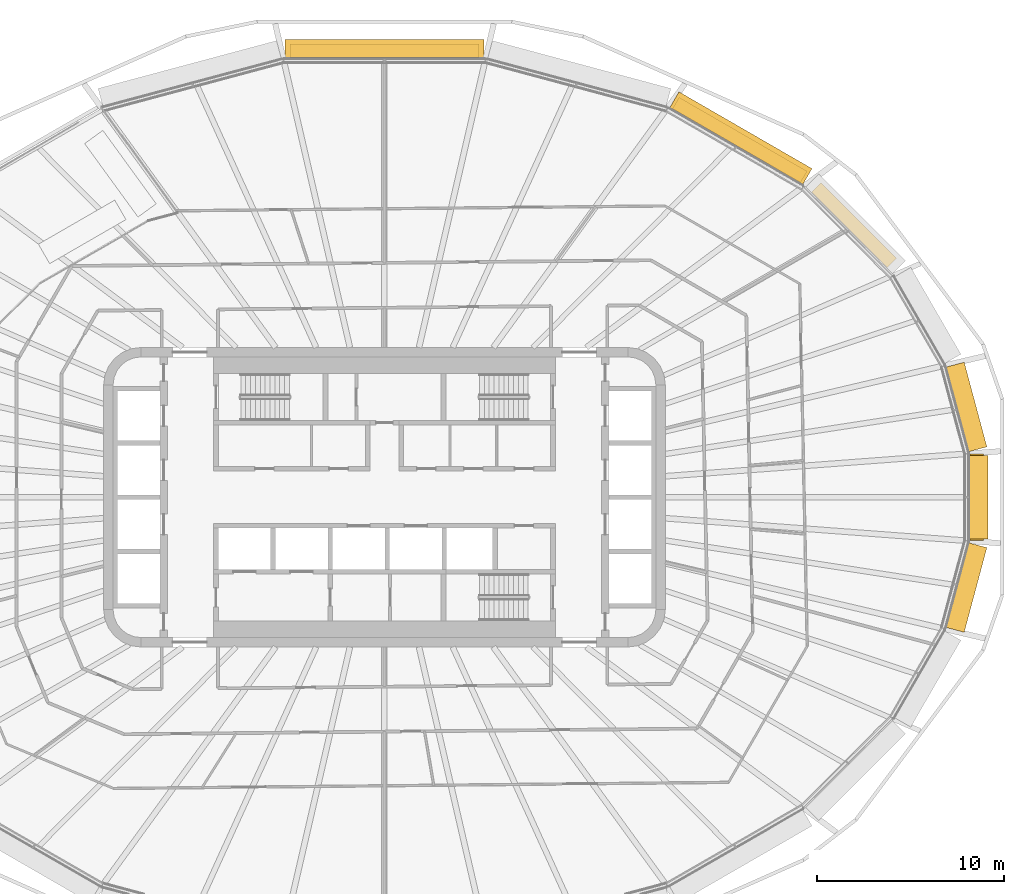
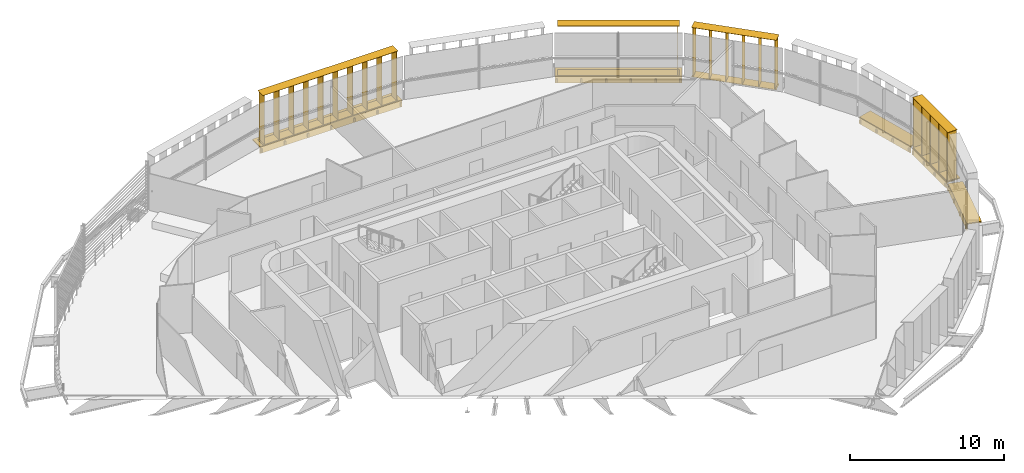
# One storey, part 23 of 23: 9 shading devices.
"""IFC4 building model written with IfcOpenShell, lengths in metres."""

from ifc_helpers import new_model, si_unit, direction, frame, origin, origin_2d, place, context, subcontext, project, spatial, rectangle, extrude, material, type_object, element, save


model = new_model("IFC4")

# Units and contexts
model_context = context("Model", 3, precision=1e-05, world=origin(), true_north=direction((0.0, 1.0)))
body_context = subcontext(model_context, "Body", "Model", "MODEL_VIEW")
ifc_project = project(units=[si_unit("LENGTHUNIT", "METRE"), si_unit("AREAUNIT", "SQUARE_METRE"), si_unit("VOLUMEUNIT", "CUBIC_METRE"), si_unit("PLANEANGLEUNIT", "RADIAN"), si_unit("MASSUNIT", "GRAM", prefix="KILO")], contexts=[model_context])

# Site, building, storey
site_placement = place(None, origin())
site = spatial("IfcSite", under=ifc_project, at=site_placement, CompositionType="ELEMENT")
building_placement = place(site_placement, origin())
building = spatial("IfcBuilding", under=site, at=building_placement, Name="Sahrelin Media Tower", CompositionType="ELEMENT")
storey_placement = place(building_placement, frame((0.0, 0.0, 169.60009765625)))
storey = spatial("IfcBuildingStorey", under=building, at=storey_placement, Name="L35", CompositionType="ELEMENT", Elevation=169.60009765625)

# Shading devices
ifc_material = material(Name="Champagne anodised aluminium 6063-T6", Category="aluminium")
shading_device_type_1 = type_object("IfcShadingDeviceType", Name="Fin cassette", PredefinedType="USERDEFINED", material=ifc_material)
placement_1 = place(storey_placement, frame((31.216552734375, 0.0, 0.0), z_axis=(0.0, 0.0, 1.0), x_axis=(0.0, -1.0, 0.0)))
element("IfcShadingDevice", 1, at=placement_1, inside=storey, type_object=shading_device_type_1, Name="L35:FIN:L35-00", ObjectType="FIN", PredefinedType="USERDEFINED", context=body_context, shape_type="SweptSolid", body=[
    extrude(rectangle(XDim=4.60009765625, YDim=0.699951171875, at=origin_2d()), frame((0.0, 0.419921875, 0.0)), (0.0, 0.0, 1.0), 0.02001953125),
    extrude(rectangle(XDim=4.60009765625, YDim=0.699951171875, at=origin_2d()), frame((0.0, 0.419921875, 3.89990234375)), (0.0, 0.0, 1.0), 0.02001953125),
    extrude(rectangle(XDim=0.02001953125, YDim=0.699951171875, at=origin_2d()), frame((-2.199951171875, 0.419921875, 0.010009765625), z_axis=(0.0, 0.0, 1.0), x_axis=(1.0, 0.0, 0.0)), (0.0, 0.0, 1.0), 3.89990234375),
    extrude(rectangle(XDim=0.02001953125, YDim=0.699951171875, at=origin_2d()), frame((-1.10009765625, 0.419921875, 0.010009765625), z_axis=(0.0, 0.0, 1.0), x_axis=(1.0, 0.0, 0.0)), (0.0, 0.0, 1.0), 3.89990234375),
    extrude(rectangle(XDim=0.02001953125, YDim=0.699951171875, at=origin_2d()), frame((0.0, 0.419921875, 0.010009765625), z_axis=(0.0, 0.0, 1.0), x_axis=(1.0, 0.0, 0.0)), (0.0, 0.0, 1.0), 3.89990234375),
    extrude(rectangle(XDim=0.02001953125, YDim=0.699951171875, at=origin_2d()), frame((1.10009765625, 0.419921875, 0.010009765625), z_axis=(0.0, 0.0, 1.0), x_axis=(1.0, 0.0, 0.0)), (0.0, 0.0, 1.0), 3.89990234375),
    extrude(rectangle(XDim=0.02001953125, YDim=0.699951171875, at=origin_2d()), frame((2.199951171875, 0.419921875, 0.010009765625), z_axis=(0.0, 0.0, 1.0), x_axis=(1.0, 0.0, 0.0)), (0.0, 0.0, 1.0), 3.89990234375),
])
shading_device_2_placement = place(storey_placement, frame((24.794189453125, 14.236083984375, 0.0), z_axis=(0.0, 0.0, 1.0), x_axis=(0.707106781187, -0.707106781187, 0.0)))
element("IfcShadingDevice", 2, at=shading_device_2_placement, inside=storey, type_object=shading_device_type_1, Name="L35:FIN:L35-03", ObjectType="FIN", PredefinedType="USERDEFINED", context=body_context, shape_type="SweptSolid", body=[
    extrude(rectangle(XDim=5.699951171875, YDim=0.699951171875, at=origin_2d()), frame((0.0, 0.419921875, 0.0)), (0.0, 0.0, 1.0), 0.02001953125),
    extrude(rectangle(XDim=5.699951171875, YDim=0.699951171875, at=origin_2d()), frame((0.0, 0.419921875, 3.89990234375)), (0.0, 0.0, 1.0), 0.02001953125),
    extrude(rectangle(XDim=0.02001953125, YDim=0.699951171875, at=origin_2d()), frame((-2.75, 0.419921875, 0.010009765625), z_axis=(0.0, 0.0, 1.0), x_axis=(1.0, 0.0, 0.0)), (0.0, 0.0, 1.0), 3.89990234375),
    extrude(rectangle(XDim=0.02001953125, YDim=0.699951171875, at=origin_2d()), frame((-1.64990234375, 0.419921875, 0.010009765625), z_axis=(0.0, 0.0, 1.0), x_axis=(1.0, 0.0, 0.0)), (0.0, 0.0, 1.0), 3.89990234375),
    extrude(rectangle(XDim=0.02001953125, YDim=0.699951171875, at=origin_2d()), frame((-0.550048828125, 0.419921875, 0.010009765625), z_axis=(0.0, 0.0, 1.0), x_axis=(1.0, 0.0, 0.0)), (0.0, 0.0, 1.0), 3.89990234375),
    extrude(rectangle(XDim=0.02001953125, YDim=0.699951171875, at=origin_2d()), frame((0.550048828125, 0.419921875, 0.010009765625), z_axis=(0.0, 0.0, 1.0), x_axis=(1.0, 0.0, 0.0)), (0.0, 0.0, 1.0), 3.89990234375),
    extrude(rectangle(XDim=0.02001953125, YDim=0.699951171875, at=origin_2d()), frame((1.64990234375, 0.419921875, 0.010009765625), z_axis=(0.0, 0.0, 1.0), x_axis=(1.0, 0.0, 0.0)), (0.0, 0.0, 1.0), 3.89990234375),
    extrude(rectangle(XDim=0.02001953125, YDim=0.699951171875, at=origin_2d()), frame((2.75, 0.419921875, 0.010009765625), z_axis=(0.0, 0.0, 1.0), x_axis=(1.0, 0.0, 0.0)), (0.0, 0.0, 1.0), 3.89990234375),
])
placement_2 = place(storey_placement, frame((18.77099609375, 18.72119140625, 0.0), z_axis=(0.0, 0.0, 1.0), x_axis=(0.866019052629, -0.500011000363, 0.0)))
element("IfcShadingDevice", 3, at=placement_2, inside=storey, type_object=shading_device_type_1, Name="L35:FIN:L35-04", ObjectType="FIN", PredefinedType="USERDEFINED", context=body_context, shape_type="SweptSolid", body=[
    extrude(rectangle(XDim=7.89990234375, YDim=0.699951171875, at=origin_2d()), frame((0.0, 0.419921875, 0.0)), (0.0, 0.0, 1.0), 0.02001953125),
    extrude(rectangle(XDim=7.89990234375, YDim=0.699951171875, at=origin_2d()), frame((0.0, 0.419921875, 3.89990234375)), (0.0, 0.0, 1.0), 0.02001953125),
    extrude(rectangle(XDim=0.02001953125, YDim=0.699951171875, at=origin_2d()), frame((-3.85009765625, 0.419921875, 0.010009765625), z_axis=(0.0, 0.0, 1.0), x_axis=(1.0, 0.0, 0.0)), (0.0, 0.0, 1.0), 3.89990234375),
    extrude(rectangle(XDim=0.02001953125, YDim=0.699951171875, at=origin_2d()), frame((-2.75, 0.419921875, 0.010009765625), z_axis=(0.0, 0.0, 1.0), x_axis=(1.0, 0.0, 0.0)), (0.0, 0.0, 1.0), 3.89990234375),
    extrude(rectangle(XDim=0.02001953125, YDim=0.699951171875, at=origin_2d()), frame((-1.64990234375, 0.419921875, 0.010009765625), z_axis=(0.0, 0.0, 1.0), x_axis=(1.0, 0.0, 0.0)), (0.0, 0.0, 1.0), 3.89990234375),
    extrude(rectangle(XDim=0.02001953125, YDim=0.699951171875, at=origin_2d()), frame((-0.550048828125, 0.419921875, 0.010009765625), z_axis=(0.0, 0.0, 1.0), x_axis=(1.0, 0.0, 0.0)), (0.0, 0.0, 1.0), 3.89990234375),
    extrude(rectangle(XDim=0.02001953125, YDim=0.699951171875, at=origin_2d()), frame((0.550048828125, 0.419921875, 0.010009765625), z_axis=(0.0, 0.0, 1.0), x_axis=(1.0, 0.0, 0.0)), (0.0, 0.0, 1.0), 3.89990234375),
    extrude(rectangle(XDim=0.02001953125, YDim=0.699951171875, at=origin_2d()), frame((1.64990234375, 0.419921875, 0.010009765625), z_axis=(0.0, 0.0, 1.0), x_axis=(1.0, 0.0, 0.0)), (0.0, 0.0, 1.0), 3.89990234375),
    extrude(rectangle(XDim=0.02001953125, YDim=0.699951171875, at=origin_2d()), frame((2.75, 0.419921875, 0.010009765625), z_axis=(0.0, 0.0, 1.0), x_axis=(1.0, 0.0, 0.0)), (0.0, 0.0, 1.0), 3.89990234375),
    extrude(rectangle(XDim=0.02001953125, YDim=0.699951171875, at=origin_2d()), frame((3.85009765625, 0.419921875, 0.010009765625), z_axis=(0.0, 0.0, 1.0), x_axis=(1.0, 0.0, 0.0)), (0.0, 0.0, 1.0), 3.89990234375),
])
placement_3 = place(storey_placement, frame((0.0, 23.428466796875, 0.0), z_axis=(0.0, 0.0, 1.0), x_axis=(1.0, 0.0, 0.0)))
element("IfcShadingDevice", 4, at=placement_3, inside=storey, type_object=shading_device_type_1, Name="L35:FIN:L35-06", ObjectType="FIN", PredefinedType="USERDEFINED", context=body_context, shape_type="SweptSolid", body=[
    extrude(rectangle(XDim=10.10009765625, YDim=0.699951171875, at=origin_2d()), frame((0.0, 0.419921875, 0.0)), (0.0, 0.0, 1.0), 0.02001953125),
    extrude(rectangle(XDim=10.10009765625, YDim=0.699951171875, at=origin_2d()), frame((0.0, 0.419921875, 3.89990234375)), (0.0, 0.0, 1.0), 0.02001953125),
    extrude(rectangle(XDim=0.02001953125, YDim=0.699951171875, at=origin_2d()), frame((-4.949951171875, 0.419921875, 0.010009765625), z_axis=(0.0, 0.0, 1.0), x_axis=(1.0, 0.0, 0.0)), (0.0, 0.0, 1.0), 3.89990234375),
    extrude(rectangle(XDim=0.02001953125, YDim=0.699951171875, at=origin_2d()), frame((-3.85009765625, 0.419921875, 0.010009765625), z_axis=(0.0, 0.0, 1.0), x_axis=(1.0, 0.0, 0.0)), (0.0, 0.0, 1.0), 3.89990234375),
    extrude(rectangle(XDim=0.02001953125, YDim=0.699951171875, at=origin_2d()), frame((-2.75, 0.419921875, 0.010009765625), z_axis=(0.0, 0.0, 1.0), x_axis=(1.0, 0.0, 0.0)), (0.0, 0.0, 1.0), 3.89990234375),
    extrude(rectangle(XDim=0.02001953125, YDim=0.699951171875, at=origin_2d()), frame((-1.64990234375, 0.419921875, 0.010009765625), z_axis=(0.0, 0.0, 1.0), x_axis=(1.0, 0.0, 0.0)), (0.0, 0.0, 1.0), 3.89990234375),
    extrude(rectangle(XDim=0.02001953125, YDim=0.699951171875, at=origin_2d()), frame((-0.550048828125, 0.419921875, 0.010009765625), z_axis=(0.0, 0.0, 1.0), x_axis=(1.0, 0.0, 0.0)), (0.0, 0.0, 1.0), 3.89990234375),
    extrude(rectangle(XDim=0.02001953125, YDim=0.699951171875, at=origin_2d()), frame((0.550048828125, 0.419921875, 0.010009765625), z_axis=(0.0, 0.0, 1.0), x_axis=(1.0, 0.0, 0.0)), (0.0, 0.0, 1.0), 3.89990234375),
    extrude(rectangle(XDim=0.02001953125, YDim=0.699951171875, at=origin_2d()), frame((1.64990234375, 0.419921875, 0.010009765625), z_axis=(0.0, 0.0, 1.0), x_axis=(1.0, 0.0, 0.0)), (0.0, 0.0, 1.0), 3.89990234375),
    extrude(rectangle(XDim=0.02001953125, YDim=0.699951171875, at=origin_2d()), frame((2.75, 0.419921875, 0.010009765625), z_axis=(0.0, 0.0, 1.0), x_axis=(1.0, 0.0, 0.0)), (0.0, 0.0, 1.0), 3.89990234375),
    extrude(rectangle(XDim=0.02001953125, YDim=0.699951171875, at=origin_2d()), frame((3.85009765625, 0.419921875, 0.010009765625), z_axis=(0.0, 0.0, 1.0), x_axis=(1.0, 0.0, 0.0)), (0.0, 0.0, 1.0), 3.89990234375),
    extrude(rectangle(XDim=0.02001953125, YDim=0.699951171875, at=origin_2d()), frame((4.949951171875, 0.419921875, 0.010009765625), z_axis=(0.0, 0.0, 1.0), x_axis=(1.0, 0.0, 0.0)), (0.0, 0.0, 1.0), 3.89990234375),
])
shading_device_type_2 = type_object("IfcShadingDeviceType", Name="Sunshade band", PredefinedType="USERDEFINED", material=ifc_material)
element("IfcShadingDevice", 5, at=placement_1, inside=storey, type_object=shading_device_type_2, Name="L35:SUN:L35-00", ObjectType="SUNSHADE", PredefinedType="USERDEFINED", context=body_context, shape_type="SweptSolid", body=[
    extrude(rectangle(XDim=4.46484375, YDim=0.050048828125, at=origin_2d()), frame((0.0, 0.044921875, -0.55126953125)), (0.0, 0.0, 1.0), 0.471435546875),
    extrude(rectangle(XDim=4.46484375, YDim=1.0, at=origin_2d()), frame((0.0, 0.52001953125, -0.080078125)), (0.0, 0.0, 1.0), 0.080078125),
    extrude(rectangle(XDim=0.10009765625, YDim=0.074951171875, at=origin_2d()), frame((-2.13232421875, -0.017578125, -0.47021484375)), (0.0, 0.0, 1.0), 0.300048828125),
    extrude(rectangle(XDim=0.10009765625, YDim=0.074951171875, at=origin_2d()), frame((-0.710693359375, -0.017578125, -0.47021484375)), (0.0, 0.0, 1.0), 0.300048828125),
    extrude(rectangle(XDim=0.10009765625, YDim=0.074951171875, at=origin_2d()), frame((0.710693359375, -0.017578125, -0.47021484375)), (0.0, 0.0, 1.0), 0.300048828125),
    extrude(rectangle(XDim=0.10009765625, YDim=0.074951171875, at=origin_2d()), frame((2.13232421875, -0.017578125, -0.47021484375)), (0.0, 0.0, 1.0), 0.300048828125),
])
shading_device_6_placement = place(storey_placement, frame((30.585205078125, 4.6884765625, 0.0), z_axis=(0.0, 0.0, 1.0), x_axis=(0.258807731996, -0.965928857556, 0.0)))
element("IfcShadingDevice", 6, at=shading_device_6_placement, inside=storey, type_object=shading_device_type_2, Name="L35:SUN:L35-01", ObjectType="SUNSHADE", PredefinedType="USERDEFINED", context=body_context, shape_type="SweptSolid", body=[
    extrude(rectangle(XDim=4.678466796875, YDim=0.050048828125, at=origin_2d()), frame((0.0, 0.044921875, -0.55126953125)), (0.0, 0.0, 1.0), 0.471435546875),
    extrude(rectangle(XDim=4.678466796875, YDim=1.0, at=origin_2d()), frame((0.0, 0.52001953125, -0.080078125)), (0.0, 0.0, 1.0), 0.080078125),
    extrude(rectangle(XDim=0.10009765625, YDim=0.074951171875, at=origin_2d()), frame((-2.2392578125, -0.017578125, -0.47021484375)), (0.0, 0.0, 1.0), 0.300048828125),
    extrude(rectangle(XDim=0.10009765625, YDim=0.074951171875, at=origin_2d()), frame((-0.746337890625, -0.017578125, -0.47021484375)), (0.0, 0.0, 1.0), 0.300048828125),
    extrude(rectangle(XDim=0.10009765625, YDim=0.074951171875, at=origin_2d()), frame((0.746337890625, -0.017578125, -0.47021484375)), (0.0, 0.0, 1.0), 0.300048828125),
    extrude(rectangle(XDim=0.10009765625, YDim=0.074951171875, at=origin_2d()), frame((2.2392578125, -0.017578125, -0.47021484375)), (0.0, 0.0, 1.0), 0.300048828125),
])
element("IfcShadingDevice", 7, at=placement_2, inside=storey, type_object=shading_device_type_2, Name="L35:SUN:L35-04", ObjectType="SUNSHADE", PredefinedType="USERDEFINED", context=body_context, shape_type="SweptSolid", body=[
    extrude(rectangle(XDim=8.203857421875, YDim=0.050048828125, at=origin_2d()), frame((0.0, 0.044921875, -0.55126953125)), (0.0, 0.0, 1.0), 0.471435546875),
    extrude(rectangle(XDim=8.203857421875, YDim=1.0, at=origin_2d()), frame((0.0, 0.52001953125, -0.080078125)), (0.0, 0.0, 1.0), 0.080078125),
    extrude(rectangle(XDim=0.10009765625, YDim=0.074951171875, at=origin_2d()), frame((-4.001953125, -0.017578125, -0.47021484375)), (0.0, 0.0, 1.0), 0.300048828125),
    extrude(rectangle(XDim=0.10009765625, YDim=0.074951171875, at=origin_2d()), frame((-2.401123046875, -0.017578125, -0.47021484375)), (0.0, 0.0, 1.0), 0.300048828125),
    extrude(rectangle(XDim=0.10009765625, YDim=0.074951171875, at=origin_2d()), frame((-0.80029296875, -0.017578125, -0.47021484375)), (0.0, 0.0, 1.0), 0.300048828125),
    extrude(rectangle(XDim=0.10009765625, YDim=0.074951171875, at=origin_2d()), frame((0.80029296875, -0.017578125, -0.47021484375)), (0.0, 0.0, 1.0), 0.300048828125),
    extrude(rectangle(XDim=0.10009765625, YDim=0.074951171875, at=origin_2d()), frame((2.401123046875, -0.017578125, -0.47021484375)), (0.0, 0.0, 1.0), 0.300048828125),
    extrude(rectangle(XDim=0.10009765625, YDim=0.074951171875, at=origin_2d()), frame((4.001953125, -0.017578125, -0.47021484375)), (0.0, 0.0, 1.0), 0.300048828125),
])
element("IfcShadingDevice", 8, at=placement_3, inside=storey, type_object=shading_device_type_2, Name="L35:SUN:L35-06", ObjectType="SUNSHADE", PredefinedType="USERDEFINED", context=body_context, shape_type="SweptSolid", body=[
    extrude(rectangle(XDim=10.61083984375, YDim=0.050048828125, at=origin_2d()), frame((0.0, 0.044921875, -0.55126953125)), (0.0, 0.0, 1.0), 0.471435546875),
    extrude(rectangle(XDim=10.61083984375, YDim=1.0, at=origin_2d()), frame((0.0, 0.52001953125, -0.080078125)), (0.0, 0.0, 1.0), 0.080078125),
    extrude(rectangle(XDim=0.10009765625, YDim=0.074951171875, at=origin_2d()), frame((-5.205322265625, -0.017578125, -0.47021484375)), (0.0, 0.0, 1.0), 0.300048828125),
    extrude(rectangle(XDim=0.10009765625, YDim=0.074951171875, at=origin_2d()), frame((-3.47021484375, -0.017578125, -0.47021484375)), (0.0, 0.0, 1.0), 0.300048828125),
    extrude(rectangle(XDim=0.10009765625, YDim=0.074951171875, at=origin_2d()), frame((-1.735107421875, -0.017578125, -0.47021484375)), (0.0, 0.0, 1.0), 0.300048828125),
    extrude(rectangle(XDim=0.10009765625, YDim=0.074951171875, at=origin_2d()), frame((0.0, -0.017578125, -0.47021484375)), (0.0, 0.0, 1.0), 0.300048828125),
    extrude(rectangle(XDim=0.10009765625, YDim=0.074951171875, at=origin_2d()), frame((1.735107421875, -0.017578125, -0.47021484375)), (0.0, 0.0, 1.0), 0.300048828125),
    extrude(rectangle(XDim=0.10009765625, YDim=0.074951171875, at=origin_2d()), frame((3.47021484375, -0.017578125, -0.47021484375)), (0.0, 0.0, 1.0), 0.300048828125),
    extrude(rectangle(XDim=0.10009765625, YDim=0.074951171875, at=origin_2d()), frame((5.205322265625, -0.017578125, -0.47021484375)), (0.0, 0.0, 1.0), 0.300048828125),
])
shading_device_9_placement = place(storey_placement, frame((30.585205078125, -4.6884765625, 0.0), z_axis=(0.0, 0.0, 1.0), x_axis=(-0.258807731996, -0.965928857556, 0.0)))
element("IfcShadingDevice", 9, at=shading_device_9_placement, inside=storey, type_object=shading_device_type_2, Name="L35:SUN:L35-23", ObjectType="SUNSHADE", PredefinedType="USERDEFINED", context=body_context, shape_type="SweptSolid", body=[
    extrude(rectangle(XDim=4.678466796875, YDim=0.050048828125, at=origin_2d()), frame((0.0, 0.044921875, -0.55126953125)), (0.0, 0.0, 1.0), 0.471435546875),
    extrude(rectangle(XDim=4.678466796875, YDim=1.0, at=origin_2d()), frame((0.0, 0.52001953125, -0.080078125)), (0.0, 0.0, 1.0), 0.080078125),
    extrude(rectangle(XDim=0.10009765625, YDim=0.074951171875, at=origin_2d()), frame((-2.2392578125, -0.017578125, -0.47021484375)), (0.0, 0.0, 1.0), 0.300048828125),
    extrude(rectangle(XDim=0.10009765625, YDim=0.074951171875, at=origin_2d()), frame((-0.746337890625, -0.017578125, -0.47021484375)), (0.0, 0.0, 1.0), 0.300048828125),
    extrude(rectangle(XDim=0.10009765625, YDim=0.074951171875, at=origin_2d()), frame((0.746337890625, -0.017578125, -0.47021484375)), (0.0, 0.0, 1.0), 0.300048828125),
    extrude(rectangle(XDim=0.10009765625, YDim=0.074951171875, at=origin_2d()), frame((2.2392578125, -0.017578125, -0.47021484375)), (0.0, 0.0, 1.0), 0.300048828125),
])

save(model, "model.ifc")
